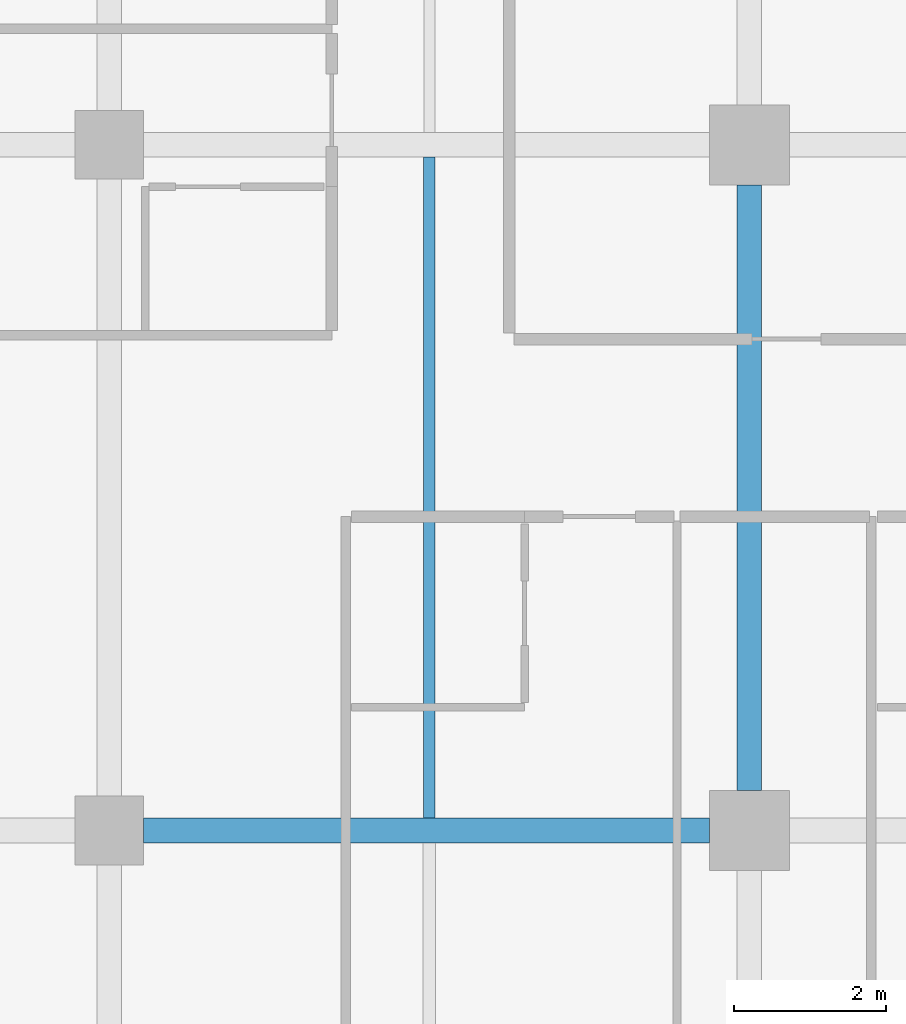
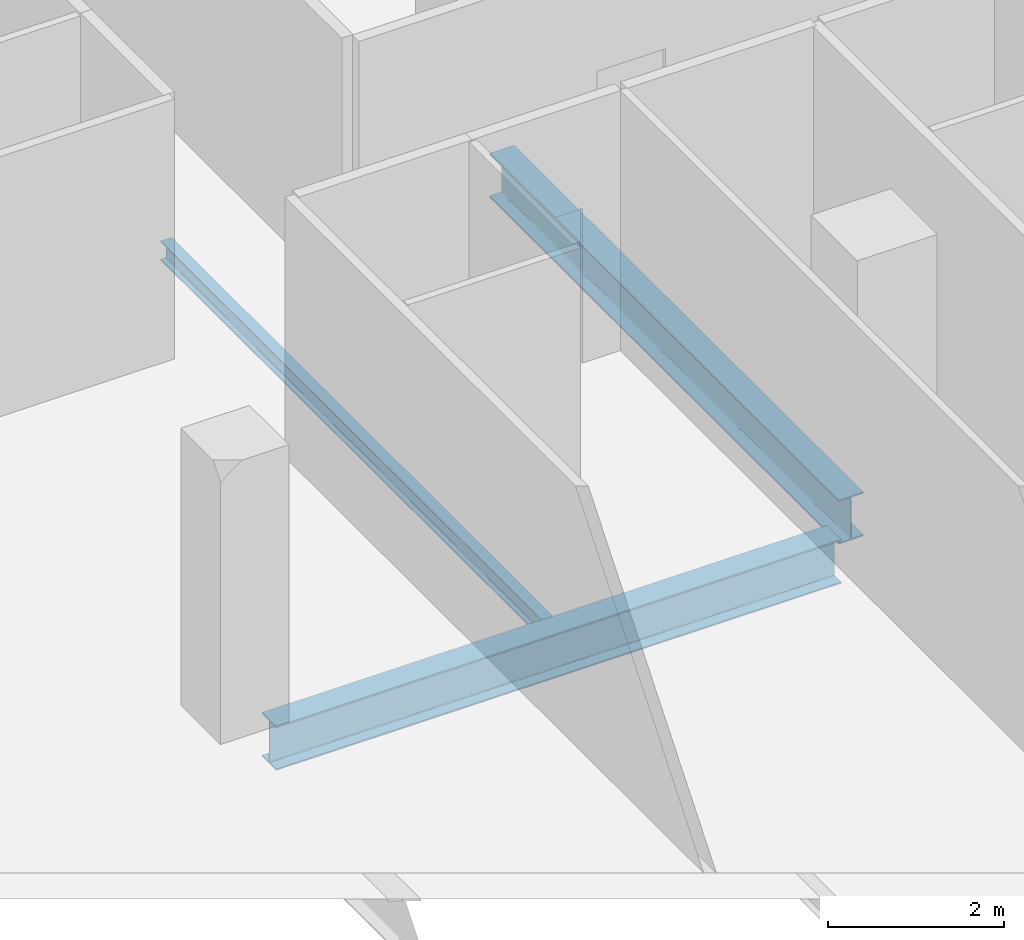
# One storey, part 6 of 41: 3 beams.
"""IFC4 building model written with IfcOpenShell, lengths in metres."""

from ifc_helpers import new_model, si_unit, direction, frame, origin, origin_2d, place, context, subcontext, project, spatial, i_section, extrude, material, material_profile, profile_set, type_object, element, save


model = new_model("IFC4")

# Units and contexts
model_context = context("Model", 3, precision=1e-05, world=origin(), true_north=direction((0.0, 1.0)))
body_context = subcontext(model_context, "Body", "Model", "MODEL_VIEW")
ifc_project = project(units=[si_unit("LENGTHUNIT", "METRE"), si_unit("AREAUNIT", "SQUARE_METRE"), si_unit("VOLUMEUNIT", "CUBIC_METRE"), si_unit("PLANEANGLEUNIT", "RADIAN"), si_unit("MASSUNIT", "GRAM", prefix="KILO")], contexts=[model_context])

# Site, building, storey
site_placement = place(None, origin())
site = spatial("IfcSite", under=ifc_project, at=site_placement, CompositionType="ELEMENT")
building_placement = place(site_placement, origin())
building = spatial("IfcBuilding", under=site, at=building_placement, Name="Maruvema Waterfront Hotel and Observation Tower", CompositionType="ELEMENT")
storey_placement = place(building_placement, frame((0.0, 0.0, 84.699951171875)))
storey = spatial("IfcBuildingStorey", under=building, at=storey_placement, Name="L20", CompositionType="ELEMENT", Elevation=84.699951171875)

# Beams
ifc_material_1 = material(Name="Steel ASTM A572 Grade 50", Category="steel")
ifc_material_profile_1 = material_profile(ifc_material_1, i_section(OverallWidth=0.323974609375, OverallDepth=0.611083984375, WebThickness=0.0126953125, FlangeThickness=0.01904296875, FilletRadius=0.01806640625, at=origin_2d()), Name="W610x155.0")
ifc_profile_set_1 = profile_set([ifc_material_profile_1], Name="Steel ASTM A572 Grade 50")
beam_type_1 = type_object("IfcBeamType", Name="Primary Floor Girder W610x155.0", PredefinedType="BEAM", material=ifc_profile_set_1)
beam_1_placement = place(storey_placement, frame((17.25, 9.0, -0.54541015625), z_axis=(1.0, 0.0, 0.0), x_axis=(0.0, 1.0, 0.0)))
element("IfcBeam", 1, at=beam_1_placement, inside=storey, type_object=beam_type_1, Name="L20 Floor Girder EW-07", PredefinedType="BEAM", context=body_context, shape_type="SweptSolid", body=[
    extrude(i_section(OverallWidth=0.323974609375, OverallDepth=0.611083984375, WebThickness=0.0126953125, FlangeThickness=0.01904296875, FilletRadius=0.01806640625, at=origin_2d()), origin(), (0.0, 0.0, 1.0), 7.425048828125),
])
beam_2_placement = place(storey_placement, frame((25.199951171875, 9.52490234375, -0.54541015625), z_axis=(0.0, 1.0, 0.0), x_axis=(-1.0, 0.0, 0.0)))
element("IfcBeam", 2, at=beam_2_placement, inside=storey, type_object=beam_type_1, Name="L20 Floor Girder NS-12", PredefinedType="BEAM", context=body_context, shape_type="SweptSolid", body=[
    extrude(i_section(OverallWidth=0.323974609375, OverallDepth=0.611083984375, WebThickness=0.0126953125, FlangeThickness=0.01904296875, FilletRadius=0.01806640625, at=origin_2d()), origin(), (0.0, 0.0, 1.0), 7.9501953125),
])
ifc_material_2 = material(Name="Steel ASTM A572 Grade 50", Category="steel")
ifc_material_profile_2 = material_profile(ifc_material_2, i_section(OverallWidth=0.14794921875, OverallDepth=0.26611328125, WebThickness=0.007568359375, FlangeThickness=0.012939453125, FilletRadius=0.012939453125, at=origin_2d()), Name="W250x44.8")
ifc_profile_set_2 = profile_set([ifc_material_profile_2], Name="Steel ASTM A572 Grade 50")
beam_type_2 = type_object("IfcBeamType", Name="Secondary Floor Joist W250x44.8", PredefinedType="JOIST", material=ifc_profile_set_2)
beam_3_placement = place(storey_placement, frame((21.0, 9.162109375, -0.373046875), z_axis=(0.0, 1.0, 0.0), x_axis=(-1.0, 0.0, 0.0)))
element("IfcBeam", 3, at=beam_3_placement, inside=storey, type_object=beam_type_2, Name="L20 Secondary Floor Joist JS-06", PredefinedType="JOIST", context=body_context, shape_type="SweptSolid", body=[
    extrude(i_section(OverallWidth=0.14794921875, OverallDepth=0.26611328125, WebThickness=0.007568359375, FlangeThickness=0.012939453125, FilletRadius=0.012939453125, at=origin_2d()), origin(), (0.0, 0.0, 1.0), 8.67578125),
])

save(model, "model.ifc")
